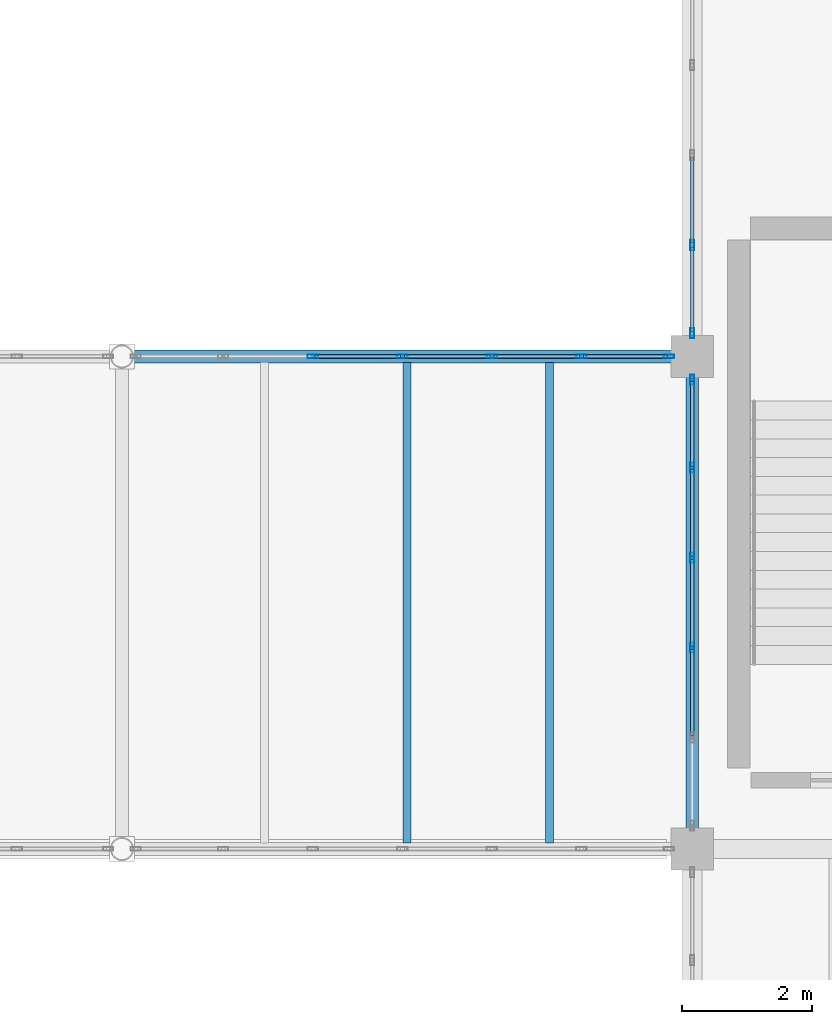
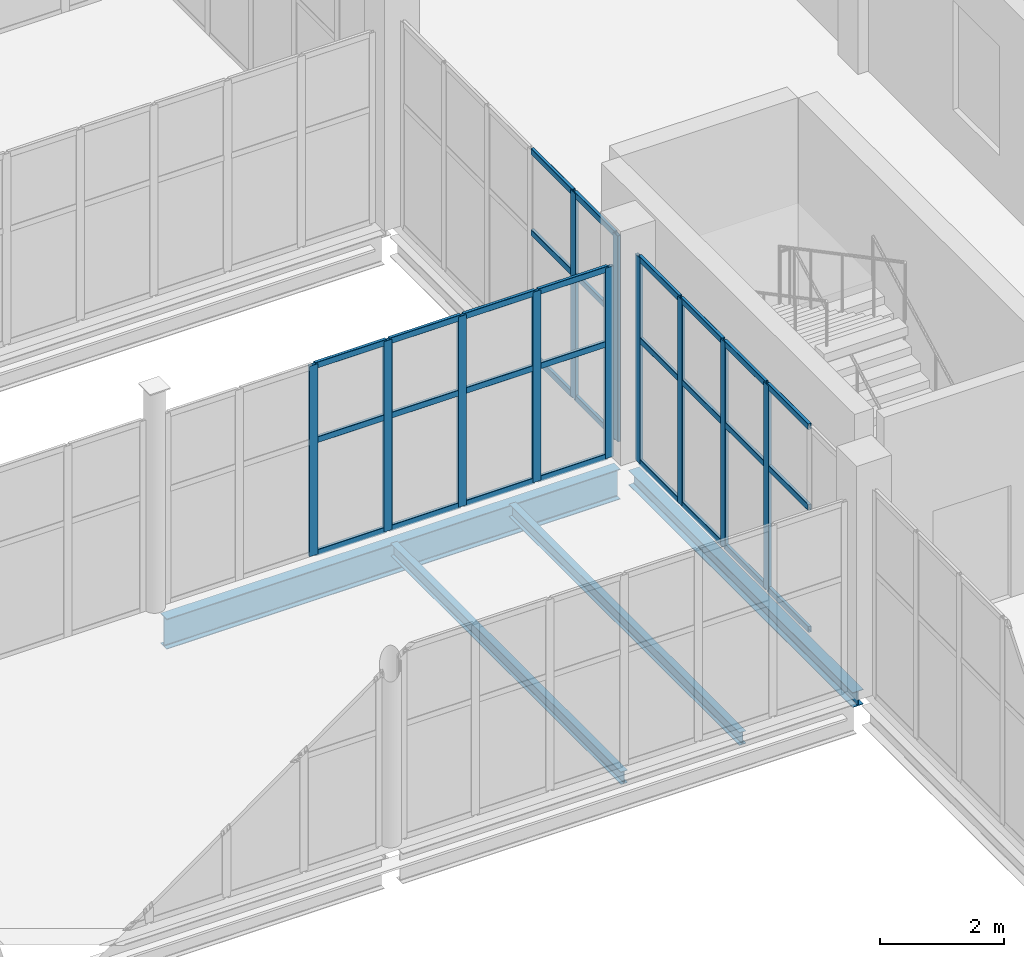
# One storey, part 108 of 172: 41 members, 4 beams, 3 elements without a shape of their own.
"""IFC4 building model written with IfcOpenShell, lengths in metres."""

from ifc_helpers import new_model, si_unit, direction, frame, origin, origin_2d, place, context, subcontext, project, spatial, hollow_rectangle, i_section, extrude, material, material_profile, profile_set, type_object, element, aggregate, save


model = new_model("IFC4")

# Units and contexts
model_context = context("Model", 3, precision=1e-05, world=origin(), true_north=direction((0.0, 1.0)))
body_context = subcontext(model_context, "Body", "Model", "MODEL_VIEW")
ifc_project = project(units=[si_unit("LENGTHUNIT", "METRE"), si_unit("AREAUNIT", "SQUARE_METRE"), si_unit("VOLUMEUNIT", "CUBIC_METRE"), si_unit("PLANEANGLEUNIT", "RADIAN"), si_unit("MASSUNIT", "GRAM", prefix="KILO")], contexts=[model_context])

# Site, building, storey
site_placement = place(None, origin())
site = spatial("IfcSite", under=ifc_project, at=site_placement, CompositionType="ELEMENT")
building_placement = place(site_placement, origin())
building = spatial("IfcBuilding", under=site, at=building_placement, Name="Shengluoqiao Park Theatre", CompositionType="ELEMENT")
storey_placement = place(building_placement, frame((0.0, 0.0, 5.39990234375)))
storey = spatial("IfcBuildingStorey", under=building, at=storey_placement, Name="L01", CompositionType="ELEMENT", Elevation=5.39990234375)

# Curtain wall, members
ifc_material_1 = material(Name="Aluminium 6063-T6", Category="aluminium")
curtain_wall_type_1 = type_object("IfcCurtainWallType", Name="ENV-CW-BRIDGE", PredefinedType="NOTDEFINED", material=ifc_material_1)
curtain_wall_1_placement = place(storey_placement, origin())
curtain_wall_1 = element("IfcCurtainWall", 1, at=curtain_wall_1_placement, inside=storey, type_object=curtain_wall_type_1, Name="L01 Curtain Wall CWX-L01-0148", PredefinedType="NOTDEFINED")
ifc_material_profile_1 = material_profile(ifc_material_1, hollow_rectangle(XDim=0.06005859375, YDim=0.159912109375, WallThickness=0.00390625, InnerFilletRadius=0.00390625, OuterFilletRadius=0.008056640625, at=origin_2d()), Name="ALU MULLION 160x60x4")
ifc_profile_set_1 = profile_set([ifc_material_profile_1], Name="Aluminium 6063-T6")
member_type_1 = type_object("IfcMemberType", Name="ENV-MUL-160", PredefinedType="MULLION", material=ifc_profile_set_1)
member_1_placement = place(storey_placement, frame((151.344970703125, 60.800048828125, 0.0), z_axis=(0.0, 0.0, 1.0), x_axis=(0.0, 1.0, 0.0)))
member_1 = element("IfcMember", 2, at=member_1_placement, type_object=member_type_1, Name="CW-03 mullion 3", PredefinedType="MULLION", context=body_context, shape_type="SweptSolid", body=[
    extrude(hollow_rectangle(XDim=0.06005859375, YDim=0.159912109375, WallThickness=0.00390625, InnerFilletRadius=0.00390625, OuterFilletRadius=0.008056640625, at=origin_2d()), origin(), (0.0, 0.0, 1.0), 3.7421875),
])
member_2_placement = place(storey_placement, frame((152.7265625, 60.800048828125, 0.0), z_axis=(0.0, 0.0, 1.0), x_axis=(0.0, 1.0, 0.0)))
member_2 = element("IfcMember", 3, at=member_2_placement, type_object=member_type_1, Name="CW-03 mullion 4", PredefinedType="MULLION", context=body_context, shape_type="SweptSolid", body=[
    extrude(hollow_rectangle(XDim=0.06005859375, YDim=0.159912109375, WallThickness=0.00390625, InnerFilletRadius=0.00390625, OuterFilletRadius=0.008056640625, at=origin_2d()), origin(), (0.0, 0.0, 1.0), 3.7421875),
])
member_3_placement = place(storey_placement, frame((154.10791015625, 60.800048828125, 0.0), z_axis=(0.0, 0.0, 1.0), x_axis=(0.0, 1.0, 0.0)))
member_3 = element("IfcMember", 4, at=member_3_placement, type_object=member_type_1, Name="CW-03 mullion 5", PredefinedType="MULLION", context=body_context, shape_type="SweptSolid", body=[
    extrude(hollow_rectangle(XDim=0.06005859375, YDim=0.159912109375, WallThickness=0.00390625, InnerFilletRadius=0.00390625, OuterFilletRadius=0.008056640625, at=origin_2d()), origin(), (0.0, 0.0, 1.0), 3.7421875),
])
member_4_placement = place(storey_placement, frame((155.489501953125, 60.800048828125, 0.0), z_axis=(0.0, 0.0, 1.0), x_axis=(0.0, 1.0, 0.0)))
member_4 = element("IfcMember", 5, at=member_4_placement, type_object=member_type_1, Name="CW-03 mullion 6", PredefinedType="MULLION", context=body_context, shape_type="SweptSolid", body=[
    extrude(hollow_rectangle(XDim=0.06005859375, YDim=0.159912109375, WallThickness=0.00390625, InnerFilletRadius=0.00390625, OuterFilletRadius=0.008056640625, at=origin_2d()), origin(), (0.0, 0.0, 1.0), 3.7421875),
])
member_5_placement = place(storey_placement, frame((156.841064453125, 60.800048828125, 0.0), z_axis=(0.0, 0.0, 1.0), x_axis=(0.0, 1.0, 0.0)))
member_5 = element("IfcMember", 6, at=member_5_placement, type_object=member_type_1, Name="CW-03 mullion 7", PredefinedType="MULLION", context=body_context, shape_type="SweptSolid", body=[
    extrude(hollow_rectangle(XDim=0.06005859375, YDim=0.159912109375, WallThickness=0.00390625, InnerFilletRadius=0.00390625, OuterFilletRadius=0.008056640625, at=origin_2d()), origin(), (0.0, 0.0, 1.0), 3.7421875),
])

curtain_wall_type_2 = type_object("IfcCurtainWallType", Name="ENV-CW-COURT", PredefinedType="NOTDEFINED", material=ifc_material_1)
curtain_wall_2_placement = place(storey_placement, origin())
curtain_wall_2 = element("IfcCurtainWall", 7, at=curtain_wall_2_placement, inside=storey, type_object=curtain_wall_type_2, Name="L01 Curtain Wall CWX-L01-0185", PredefinedType="NOTDEFINED")
member_6_placement = place(storey_placement, frame((157.199951171875, 56.305908203125, 0.0), z_axis=(0.0, 0.0, 1.0), x_axis=(-1.0, 0.0, 0.0)))
member_6 = element("IfcMember", 8, at=member_6_placement, type_object=member_type_1, Name="CW-05 mullion 3", PredefinedType="MULLION", context=body_context, shape_type="SweptSolid", body=[
    extrude(hollow_rectangle(XDim=0.06005859375, YDim=0.159912109375, WallThickness=0.00390625, InnerFilletRadius=0.00390625, OuterFilletRadius=0.008056640625, at=origin_2d()), origin(), (0.0, 0.0, 1.0), 4.044189453125),
])
member_7_placement = place(storey_placement, frame((157.199951171875, 57.694091796875, 0.0), z_axis=(0.0, 0.0, 1.0), x_axis=(-1.0, 0.0, 0.0)))
member_7 = element("IfcMember", 9, at=member_7_placement, type_object=member_type_1, Name="CW-05 mullion 4", PredefinedType="MULLION", context=body_context, shape_type="SweptSolid", body=[
    extrude(hollow_rectangle(XDim=0.06005859375, YDim=0.159912109375, WallThickness=0.00390625, InnerFilletRadius=0.00390625, OuterFilletRadius=0.008056640625, at=origin_2d()), origin(), (0.0, 0.0, 1.0), 4.044189453125),
])
member_8_placement = place(storey_placement, frame((157.199951171875, 59.08251953125, 0.0), z_axis=(0.0, 0.0, 1.0), x_axis=(-1.0, 0.0, 0.0)))
member_8 = element("IfcMember", 10, at=member_8_placement, type_object=member_type_1, Name="CW-05 mullion 5", PredefinedType="MULLION", context=body_context, shape_type="SweptSolid", body=[
    extrude(hollow_rectangle(XDim=0.06005859375, YDim=0.159912109375, WallThickness=0.00390625, InnerFilletRadius=0.00390625, OuterFilletRadius=0.008056640625, at=origin_2d()), origin(), (0.0, 0.0, 1.0), 4.044189453125),
])
member_9_placement = place(storey_placement, frame((157.199951171875, 60.44091796875, 0.0), z_axis=(0.0, 0.0, 1.0), x_axis=(-1.0, 0.0, 0.0)))
member_9 = element("IfcMember", 11, at=member_9_placement, type_object=member_type_1, Name="CW-05 mullion 6", PredefinedType="MULLION", context=body_context, shape_type="SweptSolid", body=[
    extrude(hollow_rectangle(XDim=0.06005859375, YDim=0.159912109375, WallThickness=0.00390625, InnerFilletRadius=0.00390625, OuterFilletRadius=0.008056640625, at=origin_2d()), origin(), (0.0, 0.0, 1.0), 4.044189453125),
])

curtain_wall_3_placement = place(storey_placement, origin())
curtain_wall_3 = element("IfcCurtainWall", 12, at=curtain_wall_3_placement, inside=storey, type_object=curtain_wall_type_2, Name="L01 Curtain Wall CWX-L01-0186", PredefinedType="NOTDEFINED")
member_10_placement = place(storey_placement, frame((157.199951171875, 61.158935546875, 0.0), z_axis=(0.0, 0.0, 1.0), x_axis=(-1.0, 0.0, 0.0)))
member_10 = element("IfcMember", 13, at=member_10_placement, type_object=member_type_1, Name="CW-05 mullion 1", PredefinedType="MULLION", context=body_context, shape_type="SweptSolid", body=[
    extrude(hollow_rectangle(XDim=0.06005859375, YDim=0.159912109375, WallThickness=0.00390625, InnerFilletRadius=0.00390625, OuterFilletRadius=0.008056640625, at=origin_2d()), origin(), (0.0, 0.0, 1.0), 4.044189453125),
])
member_11_placement = place(storey_placement, frame((157.199951171875, 62.517333984375, 0.0), z_axis=(0.0, 0.0, 1.0), x_axis=(-1.0, 0.0, 0.0)))
member_11 = element("IfcMember", 14, at=member_11_placement, type_object=member_type_1, Name="CW-05 mullion 2", PredefinedType="MULLION", context=body_context, shape_type="SweptSolid", body=[
    extrude(hollow_rectangle(XDim=0.06005859375, YDim=0.159912109375, WallThickness=0.00390625, InnerFilletRadius=0.00390625, OuterFilletRadius=0.008056640625, at=origin_2d()), origin(), (0.0, 0.0, 1.0), 4.044189453125),
])

# Member
ifc_material_profile_2 = material_profile(ifc_material_1, hollow_rectangle(XDim=0.06005859375, YDim=0.1201171875, WallThickness=0.00390625, InnerFilletRadius=0.00390625, OuterFilletRadius=0.008056640625, at=origin_2d()), Name="ALU TRANSOM 120x60x4")
ifc_profile_set_2 = profile_set([ifc_material_profile_2], Name="Aluminium 6063-T6")
member_type_2 = type_object("IfcMemberType", Name="ENV-TRN-120", PredefinedType="USERDEFINED", material=ifc_profile_set_2)
member_12_placement = place(storey_placement, frame((151.375, 60.800048828125, 0.030029296875), z_axis=(1.0, 0.0, 0.0), x_axis=(0.0, 1.0, 0.0)))
member_12 = element("IfcMember", 15, at=member_12_placement, type_object=member_type_2, Name="CW-03 transom 3.1", ObjectType="TRANSOM", PredefinedType="USERDEFINED", context=body_context, shape_type="SweptSolid", body=[
    extrude(hollow_rectangle(XDim=0.06005859375, YDim=0.1201171875, WallThickness=0.00390625, InnerFilletRadius=0.00390625, OuterFilletRadius=0.008056640625, at=origin_2d()), origin(), (0.0, 0.0, 1.0), 1.321533203125),
])

member_13_placement = place(storey_placement, frame((151.375, 60.800048828125, 2.2451171875), z_axis=(1.0, 0.0, 0.0), x_axis=(0.0, 1.0, 0.0)))
member_13 = element("IfcMember", 16, at=member_13_placement, type_object=member_type_2, Name="CW-03 transom 3.2", ObjectType="TRANSOM", PredefinedType="USERDEFINED", context=body_context, shape_type="SweptSolid", body=[
    extrude(hollow_rectangle(XDim=0.06005859375, YDim=0.1201171875, WallThickness=0.00390625, InnerFilletRadius=0.00390625, OuterFilletRadius=0.008056640625, at=origin_2d()), origin(), (0.0, 0.0, 1.0), 1.321533203125),
])

member_14_placement = place(storey_placement, frame((151.375, 60.800048828125, 3.712158203125), z_axis=(1.0, 0.0, 0.0), x_axis=(0.0, 1.0, 0.0)))
member_14 = element("IfcMember", 17, at=member_14_placement, type_object=member_type_2, Name="CW-03 transom 3.3", ObjectType="TRANSOM", PredefinedType="USERDEFINED", context=body_context, shape_type="SweptSolid", body=[
    extrude(hollow_rectangle(XDim=0.06005859375, YDim=0.1201171875, WallThickness=0.00390625, InnerFilletRadius=0.00390625, OuterFilletRadius=0.008056640625, at=origin_2d()), origin(), (0.0, 0.0, 1.0), 1.321533203125),
])

member_15_placement = place(storey_placement, frame((152.756591796875, 60.800048828125, 0.030029296875), z_axis=(1.0, 0.0, 0.0), x_axis=(0.0, 1.0, 0.0)))
member_15 = element("IfcMember", 18, at=member_15_placement, type_object=member_type_2, Name="CW-03 transom 4.1", ObjectType="TRANSOM", PredefinedType="USERDEFINED", context=body_context, shape_type="SweptSolid", body=[
    extrude(hollow_rectangle(XDim=0.06005859375, YDim=0.1201171875, WallThickness=0.00390625, InnerFilletRadius=0.00390625, OuterFilletRadius=0.008056640625, at=origin_2d()), origin(), (0.0, 0.0, 1.0), 1.3212890625),
])

member_16_placement = place(storey_placement, frame((152.756591796875, 60.800048828125, 2.2451171875), z_axis=(1.0, 0.0, 0.0), x_axis=(0.0, 1.0, 0.0)))
member_16 = element("IfcMember", 19, at=member_16_placement, type_object=member_type_2, Name="CW-03 transom 4.2", ObjectType="TRANSOM", PredefinedType="USERDEFINED", context=body_context, shape_type="SweptSolid", body=[
    extrude(hollow_rectangle(XDim=0.06005859375, YDim=0.1201171875, WallThickness=0.00390625, InnerFilletRadius=0.00390625, OuterFilletRadius=0.008056640625, at=origin_2d()), origin(), (0.0, 0.0, 1.0), 1.3212890625),
])

member_17_placement = place(storey_placement, frame((152.756591796875, 60.800048828125, 3.712158203125), z_axis=(1.0, 0.0, 0.0), x_axis=(0.0, 1.0, 0.0)))
member_17 = element("IfcMember", 20, at=member_17_placement, type_object=member_type_2, Name="CW-03 transom 4.3", ObjectType="TRANSOM", PredefinedType="USERDEFINED", context=body_context, shape_type="SweptSolid", body=[
    extrude(hollow_rectangle(XDim=0.06005859375, YDim=0.1201171875, WallThickness=0.00390625, InnerFilletRadius=0.00390625, OuterFilletRadius=0.008056640625, at=origin_2d()), origin(), (0.0, 0.0, 1.0), 1.3212890625),
])

member_18_placement = place(storey_placement, frame((154.137939453125, 60.800048828125, 0.030029296875), z_axis=(1.0, 0.0, 0.0), x_axis=(0.0, 1.0, 0.0)))
member_18 = element("IfcMember", 21, at=member_18_placement, type_object=member_type_2, Name="CW-03 transom 5.1", ObjectType="TRANSOM", PredefinedType="USERDEFINED", context=body_context, shape_type="SweptSolid", body=[
    extrude(hollow_rectangle(XDim=0.06005859375, YDim=0.1201171875, WallThickness=0.00390625, InnerFilletRadius=0.00390625, OuterFilletRadius=0.008056640625, at=origin_2d()), origin(), (0.0, 0.0, 1.0), 1.321533203125),
])

member_19_placement = place(storey_placement, frame((154.137939453125, 60.800048828125, 2.2451171875), z_axis=(1.0, 0.0, 0.0), x_axis=(0.0, 1.0, 0.0)))
member_19 = element("IfcMember", 22, at=member_19_placement, type_object=member_type_2, Name="CW-03 transom 5.2", ObjectType="TRANSOM", PredefinedType="USERDEFINED", context=body_context, shape_type="SweptSolid", body=[
    extrude(hollow_rectangle(XDim=0.06005859375, YDim=0.1201171875, WallThickness=0.00390625, InnerFilletRadius=0.00390625, OuterFilletRadius=0.008056640625, at=origin_2d()), origin(), (0.0, 0.0, 1.0), 1.321533203125),
])

member_20_placement = place(storey_placement, frame((154.137939453125, 60.800048828125, 3.712158203125), z_axis=(1.0, 0.0, 0.0), x_axis=(0.0, 1.0, 0.0)))
member_20 = element("IfcMember", 23, at=member_20_placement, type_object=member_type_2, Name="CW-03 transom 5.3", ObjectType="TRANSOM", PredefinedType="USERDEFINED", context=body_context, shape_type="SweptSolid", body=[
    extrude(hollow_rectangle(XDim=0.06005859375, YDim=0.1201171875, WallThickness=0.00390625, InnerFilletRadius=0.00390625, OuterFilletRadius=0.008056640625, at=origin_2d()), origin(), (0.0, 0.0, 1.0), 1.321533203125),
])

member_21_placement = place(storey_placement, frame((155.51953125, 60.800048828125, 0.030029296875), z_axis=(1.0, 0.0, 0.0), x_axis=(0.0, 1.0, 0.0)))
member_21 = element("IfcMember", 24, at=member_21_placement, type_object=member_type_2, Name="CW-03 transom 6.1", ObjectType="TRANSOM", PredefinedType="USERDEFINED", context=body_context, shape_type="SweptSolid", body=[
    extrude(hollow_rectangle(XDim=0.06005859375, YDim=0.1201171875, WallThickness=0.00390625, InnerFilletRadius=0.00390625, OuterFilletRadius=0.008056640625, at=origin_2d()), origin(), (0.0, 0.0, 1.0), 1.29150390625),
])

member_22_placement = place(storey_placement, frame((155.51953125, 60.800048828125, 2.2451171875), z_axis=(1.0, 0.0, 0.0), x_axis=(0.0, 1.0, 0.0)))
member_22 = element("IfcMember", 25, at=member_22_placement, type_object=member_type_2, Name="CW-03 transom 6.2", ObjectType="TRANSOM", PredefinedType="USERDEFINED", context=body_context, shape_type="SweptSolid", body=[
    extrude(hollow_rectangle(XDim=0.06005859375, YDim=0.1201171875, WallThickness=0.00390625, InnerFilletRadius=0.00390625, OuterFilletRadius=0.008056640625, at=origin_2d()), origin(), (0.0, 0.0, 1.0), 1.29150390625),
])

member_23_placement = place(storey_placement, frame((155.51953125, 60.800048828125, 3.712158203125), z_axis=(1.0, 0.0, 0.0), x_axis=(0.0, 1.0, 0.0)))
member_23 = element("IfcMember", 26, at=member_23_placement, type_object=member_type_2, Name="CW-03 transom 6.3", ObjectType="TRANSOM", PredefinedType="USERDEFINED", context=body_context, shape_type="SweptSolid", body=[
    extrude(hollow_rectangle(XDim=0.06005859375, YDim=0.1201171875, WallThickness=0.00390625, InnerFilletRadius=0.00390625, OuterFilletRadius=0.008056640625, at=origin_2d()), origin(), (0.0, 0.0, 1.0), 1.29150390625),
])

aggregate(curtain_wall_1, [member_1, member_2, member_3, member_4, member_5, member_12, member_13, member_14, member_15, member_16, member_17, member_18, member_19, member_20, member_21, member_22, member_23])

member_24_placement = place(storey_placement, frame((157.199951171875, 54.947509765625, 0.030029296875), z_axis=(0.0, 1.0, 0.0), x_axis=(-1.0, 0.0, 0.0)))
member_24 = element("IfcMember", 27, at=member_24_placement, type_object=member_type_2, Name="CW-05 transom 2.1", ObjectType="TRANSOM", PredefinedType="USERDEFINED", context=body_context, shape_type="SweptSolid", body=[
    extrude(hollow_rectangle(XDim=0.06005859375, YDim=0.1201171875, WallThickness=0.00390625, InnerFilletRadius=0.00390625, OuterFilletRadius=0.008056640625, at=origin_2d()), origin(), (0.0, 0.0, 1.0), 1.328369140625),
])

member_25_placement = place(storey_placement, frame((157.199951171875, 54.947509765625, 2.426025390625), z_axis=(0.0, 1.0, 0.0), x_axis=(-1.0, 0.0, 0.0)))
member_25 = element("IfcMember", 28, at=member_25_placement, type_object=member_type_2, Name="CW-05 transom 2.2", ObjectType="TRANSOM", PredefinedType="USERDEFINED", context=body_context, shape_type="SweptSolid", body=[
    extrude(hollow_rectangle(XDim=0.06005859375, YDim=0.1201171875, WallThickness=0.00390625, InnerFilletRadius=0.00390625, OuterFilletRadius=0.008056640625, at=origin_2d()), origin(), (0.0, 0.0, 1.0), 1.328369140625),
])

member_26_placement = place(storey_placement, frame((157.199951171875, 54.947509765625, 4.01416015625), z_axis=(0.0, 1.0, 0.0), x_axis=(-1.0, 0.0, 0.0)))
member_26 = element("IfcMember", 29, at=member_26_placement, type_object=member_type_2, Name="CW-05 transom 2.3", ObjectType="TRANSOM", PredefinedType="USERDEFINED", context=body_context, shape_type="SweptSolid", body=[
    extrude(hollow_rectangle(XDim=0.06005859375, YDim=0.1201171875, WallThickness=0.00390625, InnerFilletRadius=0.00390625, OuterFilletRadius=0.008056640625, at=origin_2d()), origin(), (0.0, 0.0, 1.0), 1.328369140625),
])

member_27_placement = place(storey_placement, frame((157.199951171875, 56.335693359375, 0.030029296875), z_axis=(0.0, 1.0, 0.0), x_axis=(-1.0, 0.0, 0.0)))
member_27 = element("IfcMember", 30, at=member_27_placement, type_object=member_type_2, Name="CW-05 transom 3.1", ObjectType="TRANSOM", PredefinedType="USERDEFINED", context=body_context, shape_type="SweptSolid", body=[
    extrude(hollow_rectangle(XDim=0.06005859375, YDim=0.1201171875, WallThickness=0.00390625, InnerFilletRadius=0.00390625, OuterFilletRadius=0.008056640625, at=origin_2d()), origin(), (0.0, 0.0, 1.0), 1.32861328125),
])

member_28_placement = place(storey_placement, frame((157.199951171875, 56.335693359375, 2.426025390625), z_axis=(0.0, 1.0, 0.0), x_axis=(-1.0, 0.0, 0.0)))
member_28 = element("IfcMember", 31, at=member_28_placement, type_object=member_type_2, Name="CW-05 transom 3.2", ObjectType="TRANSOM", PredefinedType="USERDEFINED", context=body_context, shape_type="SweptSolid", body=[
    extrude(hollow_rectangle(XDim=0.06005859375, YDim=0.1201171875, WallThickness=0.00390625, InnerFilletRadius=0.00390625, OuterFilletRadius=0.008056640625, at=origin_2d()), origin(), (0.0, 0.0, 1.0), 1.32861328125),
])

member_29_placement = place(storey_placement, frame((157.199951171875, 56.335693359375, 4.01416015625), z_axis=(0.0, 1.0, 0.0), x_axis=(-1.0, 0.0, 0.0)))
member_29 = element("IfcMember", 32, at=member_29_placement, type_object=member_type_2, Name="CW-05 transom 3.3", ObjectType="TRANSOM", PredefinedType="USERDEFINED", context=body_context, shape_type="SweptSolid", body=[
    extrude(hollow_rectangle(XDim=0.06005859375, YDim=0.1201171875, WallThickness=0.00390625, InnerFilletRadius=0.00390625, OuterFilletRadius=0.008056640625, at=origin_2d()), origin(), (0.0, 0.0, 1.0), 1.32861328125),
])

member_30_placement = place(storey_placement, frame((157.199951171875, 57.72412109375, 0.030029296875), z_axis=(0.0, 1.0, 0.0), x_axis=(-1.0, 0.0, 0.0)))
member_30 = element("IfcMember", 33, at=member_30_placement, type_object=member_type_2, Name="CW-05 transom 4.1", ObjectType="TRANSOM", PredefinedType="USERDEFINED", context=body_context, shape_type="SweptSolid", body=[
    extrude(hollow_rectangle(XDim=0.06005859375, YDim=0.1201171875, WallThickness=0.00390625, InnerFilletRadius=0.00390625, OuterFilletRadius=0.008056640625, at=origin_2d()), origin(), (0.0, 0.0, 1.0), 1.328369140625),
])

member_31_placement = place(storey_placement, frame((157.199951171875, 57.72412109375, 2.426025390625), z_axis=(0.0, 1.0, 0.0), x_axis=(-1.0, 0.0, 0.0)))
member_31 = element("IfcMember", 34, at=member_31_placement, type_object=member_type_2, Name="CW-05 transom 4.2", ObjectType="TRANSOM", PredefinedType="USERDEFINED", context=body_context, shape_type="SweptSolid", body=[
    extrude(hollow_rectangle(XDim=0.06005859375, YDim=0.1201171875, WallThickness=0.00390625, InnerFilletRadius=0.00390625, OuterFilletRadius=0.008056640625, at=origin_2d()), origin(), (0.0, 0.0, 1.0), 1.328369140625),
])

member_32_placement = place(storey_placement, frame((157.199951171875, 57.72412109375, 4.01416015625), z_axis=(0.0, 1.0, 0.0), x_axis=(-1.0, 0.0, 0.0)))
member_32 = element("IfcMember", 35, at=member_32_placement, type_object=member_type_2, Name="CW-05 transom 4.3", ObjectType="TRANSOM", PredefinedType="USERDEFINED", context=body_context, shape_type="SweptSolid", body=[
    extrude(hollow_rectangle(XDim=0.06005859375, YDim=0.1201171875, WallThickness=0.00390625, InnerFilletRadius=0.00390625, OuterFilletRadius=0.008056640625, at=origin_2d()), origin(), (0.0, 0.0, 1.0), 1.328369140625),
])

member_33_placement = place(storey_placement, frame((157.199951171875, 59.112548828125, 0.030029296875), z_axis=(0.0, 1.0, 0.0), x_axis=(-1.0, 0.0, 0.0)))
member_33 = element("IfcMember", 36, at=member_33_placement, type_object=member_type_2, Name="CW-05 transom 5.1", ObjectType="TRANSOM", PredefinedType="USERDEFINED", context=body_context, shape_type="SweptSolid", body=[
    extrude(hollow_rectangle(XDim=0.06005859375, YDim=0.1201171875, WallThickness=0.00390625, InnerFilletRadius=0.00390625, OuterFilletRadius=0.008056640625, at=origin_2d()), origin(), (0.0, 0.0, 1.0), 1.29833984375),
])

member_34_placement = place(storey_placement, frame((157.199951171875, 59.112548828125, 2.426025390625), z_axis=(0.0, 1.0, 0.0), x_axis=(-1.0, 0.0, 0.0)))
member_34 = element("IfcMember", 37, at=member_34_placement, type_object=member_type_2, Name="CW-05 transom 5.2", ObjectType="TRANSOM", PredefinedType="USERDEFINED", context=body_context, shape_type="SweptSolid", body=[
    extrude(hollow_rectangle(XDim=0.06005859375, YDim=0.1201171875, WallThickness=0.00390625, InnerFilletRadius=0.00390625, OuterFilletRadius=0.008056640625, at=origin_2d()), origin(), (0.0, 0.0, 1.0), 1.29833984375),
])

member_35_placement = place(storey_placement, frame((157.199951171875, 59.112548828125, 4.01416015625), z_axis=(0.0, 1.0, 0.0), x_axis=(-1.0, 0.0, 0.0)))
member_35 = element("IfcMember", 38, at=member_35_placement, type_object=member_type_2, Name="CW-05 transom 5.3", ObjectType="TRANSOM", PredefinedType="USERDEFINED", context=body_context, shape_type="SweptSolid", body=[
    extrude(hollow_rectangle(XDim=0.06005859375, YDim=0.1201171875, WallThickness=0.00390625, InnerFilletRadius=0.00390625, OuterFilletRadius=0.008056640625, at=origin_2d()), origin(), (0.0, 0.0, 1.0), 1.29833984375),
])

aggregate(curtain_wall_2, [member_6, member_7, member_8, member_9, member_24, member_25, member_26, member_27, member_28, member_29, member_30, member_31, member_32, member_33, member_34, member_35])

member_36_placement = place(storey_placement, frame((157.199951171875, 61.18896484375, 0.030029296875), z_axis=(0.0, 1.0, 0.0), x_axis=(-1.0, 0.0, 0.0)))
member_36 = element("IfcMember", 39, at=member_36_placement, type_object=member_type_2, Name="CW-05 transom 1.1", ObjectType="TRANSOM", PredefinedType="USERDEFINED", context=body_context, shape_type="SweptSolid", body=[
    extrude(hollow_rectangle(XDim=0.06005859375, YDim=0.1201171875, WallThickness=0.00390625, InnerFilletRadius=0.00390625, OuterFilletRadius=0.008056640625, at=origin_2d()), origin(), (0.0, 0.0, 1.0), 1.29833984375),
])

member_37_placement = place(storey_placement, frame((157.199951171875, 61.18896484375, 2.426025390625), z_axis=(0.0, 1.0, 0.0), x_axis=(-1.0, 0.0, 0.0)))
member_37 = element("IfcMember", 40, at=member_37_placement, type_object=member_type_2, Name="CW-05 transom 1.2", ObjectType="TRANSOM", PredefinedType="USERDEFINED", context=body_context, shape_type="SweptSolid", body=[
    extrude(hollow_rectangle(XDim=0.06005859375, YDim=0.1201171875, WallThickness=0.00390625, InnerFilletRadius=0.00390625, OuterFilletRadius=0.008056640625, at=origin_2d()), origin(), (0.0, 0.0, 1.0), 1.29833984375),
])

member_38_placement = place(storey_placement, frame((157.199951171875, 61.18896484375, 4.01416015625), z_axis=(0.0, 1.0, 0.0), x_axis=(-1.0, 0.0, 0.0)))
member_38 = element("IfcMember", 41, at=member_38_placement, type_object=member_type_2, Name="CW-05 transom 1.3", ObjectType="TRANSOM", PredefinedType="USERDEFINED", context=body_context, shape_type="SweptSolid", body=[
    extrude(hollow_rectangle(XDim=0.06005859375, YDim=0.1201171875, WallThickness=0.00390625, InnerFilletRadius=0.00390625, OuterFilletRadius=0.008056640625, at=origin_2d()), origin(), (0.0, 0.0, 1.0), 1.29833984375),
])

member_39_placement = place(storey_placement, frame((157.199951171875, 62.54736328125, 0.030029296875), z_axis=(0.0, 1.0, 0.0), x_axis=(-1.0, 0.0, 0.0)))
member_39 = element("IfcMember", 42, at=member_39_placement, type_object=member_type_2, Name="CW-05 transom 2.1", ObjectType="TRANSOM", PredefinedType="USERDEFINED", context=body_context, shape_type="SweptSolid", body=[
    extrude(hollow_rectangle(XDim=0.06005859375, YDim=0.1201171875, WallThickness=0.00390625, InnerFilletRadius=0.00390625, OuterFilletRadius=0.008056640625, at=origin_2d()), origin(), (0.0, 0.0, 1.0), 1.328369140625),
])

member_40_placement = place(storey_placement, frame((157.199951171875, 62.54736328125, 2.426025390625), z_axis=(0.0, 1.0, 0.0), x_axis=(-1.0, 0.0, 0.0)))
member_40 = element("IfcMember", 43, at=member_40_placement, type_object=member_type_2, Name="CW-05 transom 2.2", ObjectType="TRANSOM", PredefinedType="USERDEFINED", context=body_context, shape_type="SweptSolid", body=[
    extrude(hollow_rectangle(XDim=0.06005859375, YDim=0.1201171875, WallThickness=0.00390625, InnerFilletRadius=0.00390625, OuterFilletRadius=0.008056640625, at=origin_2d()), origin(), (0.0, 0.0, 1.0), 1.328369140625),
])

member_41_placement = place(storey_placement, frame((157.199951171875, 62.54736328125, 4.01416015625), z_axis=(0.0, 1.0, 0.0), x_axis=(-1.0, 0.0, 0.0)))
member_41 = element("IfcMember", 44, at=member_41_placement, type_object=member_type_2, Name="CW-05 transom 2.3", ObjectType="TRANSOM", PredefinedType="USERDEFINED", context=body_context, shape_type="SweptSolid", body=[
    extrude(hollow_rectangle(XDim=0.06005859375, YDim=0.1201171875, WallThickness=0.00390625, InnerFilletRadius=0.00390625, OuterFilletRadius=0.008056640625, at=origin_2d()), origin(), (0.0, 0.0, 1.0), 1.328369140625),
])

aggregate(curtain_wall_3, [member_10, member_11, member_36, member_37, member_38, member_39, member_40, member_41])

# Beams
ifc_material_2 = material(Name="Steel Q355", Category="steel")
ifc_material_profile_3 = material_profile(ifc_material_2, i_section(OverallWidth=0.199951171875, OverallDepth=0.2939453125, WebThickness=0.008056640625, FlangeThickness=0.011962890625, FilletRadius=0.01611328125, at=origin_2d()), Name="HM 294x200x8x12")
ifc_profile_set_3 = profile_set([ifc_material_profile_3], Name="Steel Q355")
beam_type_1 = type_object("IfcBeamType", Name="STR-BM-G-HM294", PredefinedType="BEAM", material=ifc_profile_set_3)
beam_1_placement = place(storey_placement, frame((157.199951171875, 53.39404296875, -0.386962890625), z_axis=(0.0, 1.0, 0.0), x_axis=(-1.0, 0.0, 0.0)))
element("IfcBeam", 45, at=beam_1_placement, inside=storey, type_object=beam_type_1, Name="L01 Transverse Girder 00599", PredefinedType="BEAM", context=body_context, shape_type="SweptSolid", body=[
    extrude(i_section(OverallWidth=0.199951171875, OverallDepth=0.2939453125, WebThickness=0.008056640625, FlangeThickness=0.011962890625, FilletRadius=0.01611328125, at=origin_2d()), origin(), (0.0, 0.0, 1.0), 7.2119140625),
])
ifc_material_profile_4 = material_profile(ifc_material_2, i_section(OverallWidth=0.125, OverallDepth=0.25, WebThickness=0.006103515625, FlangeThickness=0.009033203125, FilletRadius=0.010009765625, at=origin_2d()), Name="HN 250x125x6x9")
ifc_profile_set_4 = profile_set([ifc_material_profile_4], Name="Steel Q355")
beam_type_2 = type_object("IfcBeamType", Name="STR-BM-J-HN250", PredefinedType="JOIST", material=ifc_profile_set_4)
for number, where, z_axis, x_axis, name in (
    (46, (152.800048828125, 53.29443359375, -0.3349609375), (0.0, 1.0, 0.0), (-1.0, 0.0, 0.0), "L01 Composite Joist 00635"),
    (47, (155.0, 53.29443359375, -0.3349609375), (0.0, 1.0, 0.0), (-1.0, 0.0, 0.0), "L01 Composite Joist 00636"),
):
    element("IfcBeam", number, at=place(storey_placement, frame(where, z_axis=z_axis, x_axis=x_axis)), inside=storey, type_object=beam_type_2, Name=name, PredefinedType="JOIST", context=body_context, shape_type="SweptSolid", body=[
        extrude(i_section(OverallWidth=0.125, OverallDepth=0.25, WebThickness=0.006103515625, FlangeThickness=0.009033203125, FilletRadius=0.010009765625, at=origin_2d()), origin(), (0.0, 0.0, 1.0), 7.4111328125),
    ])
ifc_material_profile_5 = material_profile(ifc_material_2, i_section(OverallWidth=0.198974609375, OverallDepth=0.595947265625, WebThickness=0.010009765625, FlangeThickness=0.014892578125, FilletRadius=0.02001953125, at=origin_2d()), Name="HN 596x199x10x15")
ifc_profile_set_5 = profile_set([ifc_material_profile_5], Name="Steel Q355")
beam_type_3 = type_object("IfcBeamType", Name="STR-BM-SP-HN596", PredefinedType="SPANDREL", material=ifc_profile_set_5)
beam_2_placement = place(storey_placement, frame((148.572021484375, 60.800048828125, -0.537841796875), z_axis=(1.0, 0.0, 0.0), x_axis=(0.0, 1.0, 0.0)))
element("IfcBeam", 48, at=beam_2_placement, inside=storey, type_object=beam_type_3, Name="L01 Primary Girder 00586", PredefinedType="SPANDREL", context=body_context, shape_type="SweptSolid", body=[
    extrude(i_section(OverallWidth=0.198974609375, OverallDepth=0.595947265625, WebThickness=0.010009765625, FlangeThickness=0.014892578125, FilletRadius=0.02001953125, at=origin_2d()), origin(), (0.0, 0.0, 1.0), 8.429931640625),
])

save(model, "model.ifc")
